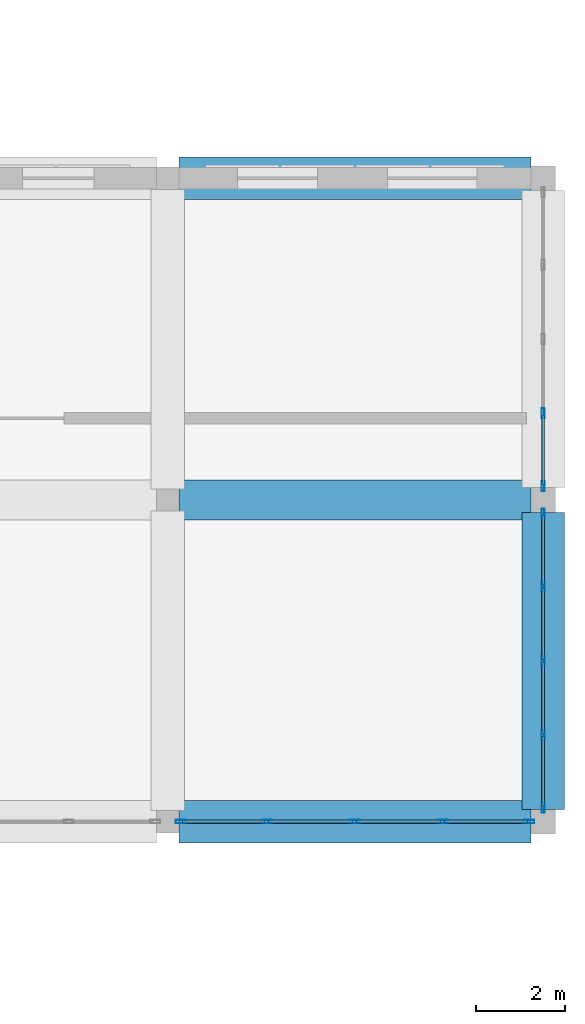
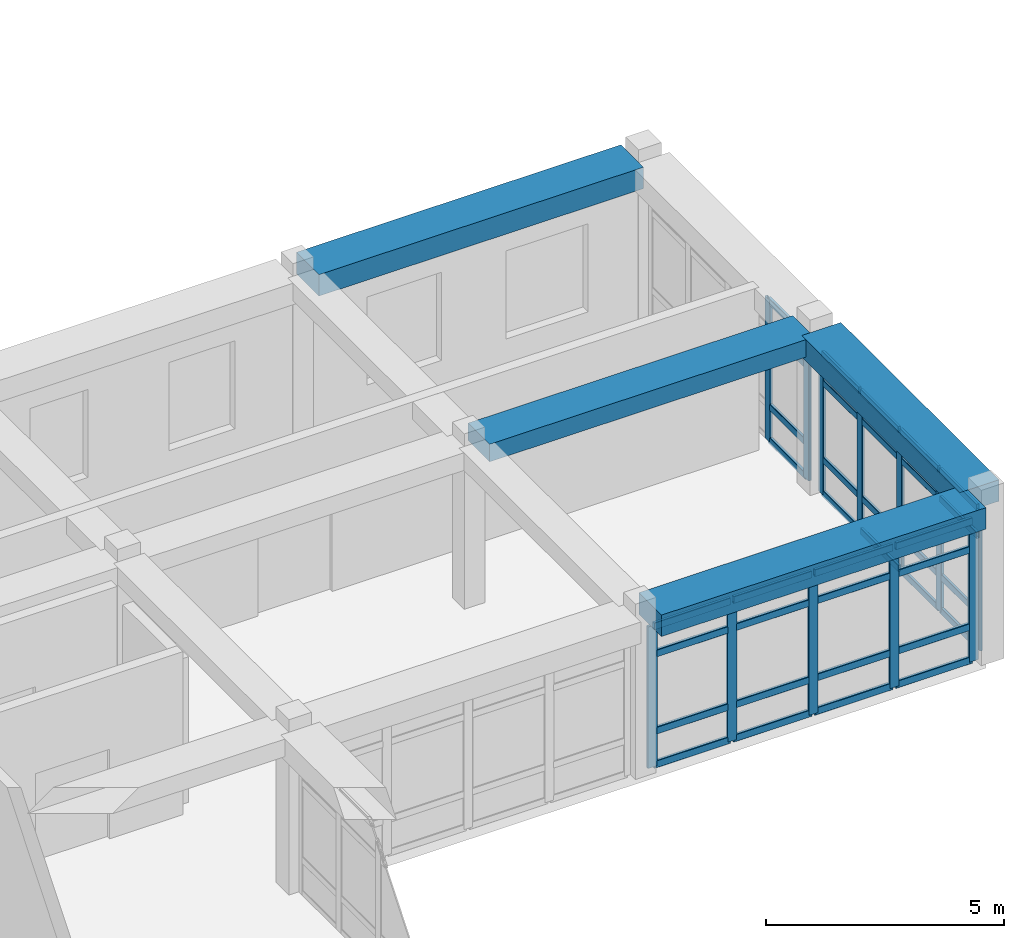
# One storey, part 60 of 121: 48 members, 4 beams, 3 elements without a shape of their own.
"""IFC4 building model written with IfcOpenShell, lengths in metres."""

import ifcopenshell
import ifcopenshell.guid

model = None  # the IFC model being written
_history = None  # IfcOwnerHistory: only IFC2X3 demands one
_inside = {}  # id of a spatial element -> (the spatial element, [elements in it])
_under = {}  # id of a project, library or spatial element -> (it, [spatial elements below it])
_declared = {}  # id of a project -> (the project, [libraries it declares])
_typed = {}  # id of a type object -> (the type object, [elements of that type])
_made_of = {}  # id of a material, layer set ... -> (it, [elements and type objects made of it])


def new_model(schema):
    """Start an empty IFC model of exactly this schema.

    Asked for "IFC4X3", IfcOpenShell would pick the latest addendum, in which some entities
    have other attributes; the version numbers below select the first issue.
    IFC2X3 requires an IfcOwnerHistory on every rooted entity: one is made here for all.
    """
    global model, _history
    if schema == "IFC4X3":
        model = ifcopenshell.file(schema_version=(4, 3, 0, 0))
    else:
        model = ifcopenshell.file(schema=schema)
    _inside.clear()
    _under.clear()
    _declared.clear()
    _typed.clear()
    _made_of.clear()
    _history = None
    if model.schema == "IFC2X3":
        org = make("IfcOrganization", Name="unknown")
        user = make(
            "IfcPersonAndOrganization",
            ThePerson=make("IfcPerson", FamilyName="unknown"),
            TheOrganization=org,
        )
        app = make(
            "IfcApplication",
            ApplicationDeveloper=org,
            Version="unknown",
            ApplicationFullName="unknown",
            ApplicationIdentifier="unknown",
        )
        _history = make(
            "IfcOwnerHistory",
            OwningUser=user,
            OwningApplication=app,
            ChangeAction="ADDED",
            CreationDate=0,
        )
    return model


def make(cls, **values):
    """One entity of the class cls with the attributes given. An attribute that is None is left unset."""
    return model.create_entity(
        cls, **{name: value for name, value in values.items() if value is not None}
    )


def rooted(cls, **values):
    """An entity with a GlobalId (a new one), such as an element, a storey or a relation."""
    return make(cls, GlobalId=ifcopenshell.guid.new(), OwnerHistory=_history, **values)


def si_unit(unit_type, name, prefix=None):
    """IfcSIUnit, for example si_unit("LENGTHUNIT", "METRE", prefix="MILLI")."""
    return make("IfcSIUnit", UnitType=unit_type, Prefix=prefix, Name=name)


def derived_unit(unit_type, elements):
    """IfcDerivedUnit: a product of units, each with its exponent."""
    return make(
        "IfcDerivedUnit",
        Elements=[
            make("IfcDerivedUnitElement", Unit=unit, Exponent=power)
            for unit, power in elements
        ],
        UnitType=unit_type,
    )


def assignment(units):
    """IfcUnitAssignment: the units of a project."""
    return None if units is None else make("IfcUnitAssignment", Units=units)


def point(xyz):
    """IfcCartesianPoint."""
    return None if xyz is None else make("IfcCartesianPoint", Coordinates=xyz)


def direction(xyz):
    """IfcDirection."""
    return None if xyz is None else make("IfcDirection", DirectionRatios=xyz)


def frame(location, z_axis=None, x_axis=None):
    """IfcAxis2Placement3D, a coordinate frame: its origin and axes. An axis left out is left unset."""
    return make(
        "IfcAxis2Placement3D",
        Location=point(location),
        Axis=direction(z_axis),
        RefDirection=direction(x_axis),
    )


def frame_2d(location, x_axis=None):
    """IfcAxis2Placement2D, a coordinate frame in the plane: its origin and x axis."""
    return make(
        "IfcAxis2Placement2D", Location=point(location), RefDirection=direction(x_axis)
    )


def origin():
    """The frame at (0, 0, 0) with its axes left unset."""
    return frame((0.0, 0.0, 0.0))


def origin_2d():
    """The frame at (0, 0) in the plane with its x axis left unset."""
    return frame_2d((0.0, 0.0))


def place(relative_to, where):
    """IfcLocalPlacement: puts the frame where relative to a parent placement (None: the world)."""
    return make(
        "IfcLocalPlacement", PlacementRelTo=relative_to, RelativePlacement=where
    )


def context(
    kind, dimensions, precision=None, world=None, true_north=None, identifier=None
):
    """IfcGeometricRepresentationContext, for example the 3D "Model" context."""
    return make(
        "IfcGeometricRepresentationContext",
        ContextIdentifier=identifier,
        ContextType=kind,
        CoordinateSpaceDimension=dimensions,
        Precision=precision,
        WorldCoordinateSystem=world,
        TrueNorth=true_north,
    )


def subcontext(parent, identifier, kind, view, scale=None):
    """IfcGeometricRepresentationSubContext, for example "Body" below "Model"."""
    return make(
        "IfcGeometricRepresentationSubContext",
        ContextIdentifier=identifier,
        ContextType=kind,
        ParentContext=parent,
        TargetScale=scale,
        TargetView=view,
    )


def project(units=None, contexts=None):
    """IfcProject with its units and contexts."""
    return rooted(
        "IfcProject",
        Name="project",
        RepresentationContexts=contexts,
        UnitsInContext=assignment(units),
    )


def spatial(cls, under=None, at=None, **own):
    """A site, building, storey or space (cls), placed at a placement, below another one or the project."""
    s = rooted(cls, ObjectPlacement=at, **own)
    if under is not None:
        _under.setdefault(under.id(), (under, []))[1].append(s)
    return s


def profile(cls, at=None, kind="AREA", **sizes):
    """A parametric profile (cls). Its sizes go by their IFC names, for example OverallWidth=200.0."""
    return make(cls, ProfileType=kind, Position=at, **sizes)


def rectangle(**sizes):
    """IfcRectangleProfileDef."""
    return profile("IfcRectangleProfileDef", **sizes)


def hollow_rectangle(**sizes):
    """IfcRectangleHollowProfileDef."""
    return profile("IfcRectangleHollowProfileDef", **sizes)


def extrude(swept, where, along, depth):
    """IfcExtrudedAreaSolid: the profile swept, set in the frame where, extruded along a direction by depth."""
    return make(
        "IfcExtrudedAreaSolid",
        SweptArea=swept,
        Position=where,
        ExtrudedDirection=direction(along),
        Depth=depth,
    )


def shape(context_of_items, identifier, shape_type, items):
    """IfcShapeRepresentation: the items that make up one representation, for example the "Body"."""
    return make(
        "IfcShapeRepresentation",
        ContextOfItems=context_of_items,
        RepresentationIdentifier=identifier,
        RepresentationType=shape_type,
        Items=items,
    )


def material(Name=None, Category=None):
    """IfcMaterial."""
    return make("IfcMaterial", Name=Name, Category=Category)


def material_profile(
    of_material, cross_section, Name=None, Category=None, Priority=None
):
    """IfcMaterialProfile: a cross section and its material."""
    return make(
        "IfcMaterialProfile",
        Name=Name,
        Material=of_material,
        Profile=cross_section,
        Priority=Priority,
        Category=Category,
    )


def profile_set(profiles, Name=None, composite=None):
    """IfcMaterialProfileSet."""
    return make(
        "IfcMaterialProfileSet",
        Name=Name,
        MaterialProfiles=profiles,
        CompositeProfile=composite,
    )


def made_of(thing, what):
    """Note that an element or type object is made of a material, layer set ...; save() writes the relation."""
    if what is not None:
        _made_of.setdefault(what.id(), (what, []))[1].append(thing)
    return thing


def type_object(cls, material=None, **own):
    """A type object (cls), such as IfcWallType, which elements share."""
    return made_of(rooted(cls, **own), material)


def element(
    cls,
    number,
    at=None,
    inside=None,
    cuts=None,
    type_object=None,
    material=None,
    context=None,
    identifier="Body",
    shape_type=None,
    held_by="IfcProductDefinitionShape",
    body=None,
    shapes=None,
    **own,
):
    """One element of the class cls, such as IfcWall. Its Tag is "e" and its number.

    at: its placement. inside: the storey or other place that contains it. cuts: it is an
    opening in that element (IfcRelVoidsElement). A single representation is given by context,
    identifier, shape_type and body (its items); several are given by shapes. held_by: the class
    of the entity that holds the representations. save() writes the other relations.
    """
    e = rooted(cls, Tag="e%d" % number, ObjectPlacement=at, **own)
    if body is not None:
        shapes = [shape(context, identifier, shape_type, body)]
    if shapes is not None:
        e.Representation = make(held_by, Representations=shapes)
    if inside is not None:
        _inside.setdefault(inside.id(), (inside, []))[1].append(e)
    if cuts is not None:
        rooted(
            "IfcRelVoidsElement", RelatingBuildingElement=cuts, RelatedOpeningElement=e
        )
    if type_object is not None:
        _typed.setdefault(type_object.id(), (type_object, []))[1].append(e)
    return made_of(e, material)


def aggregate(whole, parts):
    """IfcRelAggregates: a whole, such as a stair, and the parts it consists of."""
    return rooted("IfcRelAggregates", RelatingObject=whole, RelatedObjects=parts)


def save(model, path):
    """Write the relations noted so far, then the file.

    IfcRelAggregates (storeys below a building ...), IfcRelContainedInSpatialStructure (elements
    in a storey), IfcRelDefinesByType, IfcRelAssociatesMaterial and IfcRelDeclares: one each for
    every whole, place, type object, material and project.
    """
    for whole, parts in _under.values():
        aggregate(whole, parts)
    for where, things in _inside.values():
        rooted(
            "IfcRelContainedInSpatialStructure",
            RelatedElements=things,
            RelatingStructure=where,
        )
    for kind, things in _typed.values():
        rooted("IfcRelDefinesByType", RelatedObjects=things, RelatingType=kind)
    for what, things in _made_of.values():
        rooted("IfcRelAssociatesMaterial", RelatedObjects=things, RelatingMaterial=what)
    for by, libraries in _declared.values():
        rooted("IfcRelDeclares", RelatingContext=by, RelatedDefinitions=libraries)
    model.write(path)


model = new_model("IFC4")

# Units and contexts
model_context = context("Model", 3, precision=1e-05, world=origin(), true_north=direction((0.0, 1.0)))
body_context = subcontext(model_context, "Body", "Model", "MODEL_VIEW")
ifc_project = project(units=[si_unit("LENGTHUNIT", "METRE"), si_unit("AREAUNIT", "SQUARE_METRE"), si_unit("VOLUMEUNIT", "CUBIC_METRE"), si_unit("PLANEANGLEUNIT", "RADIAN"), si_unit("MASSUNIT", "GRAM", prefix="KILO"), derived_unit("THERMALTRANSMITTANCEUNIT", [(si_unit("POWERUNIT", "WATT"), 1), (si_unit("LENGTHUNIT", "METRE"), -2), (si_unit("THERMODYNAMICTEMPERATUREUNIT", "KELVIN"), -1)])], contexts=[model_context])

# Site, building, storey
site_placement = place(None, origin())
site = spatial("IfcSite", under=ifc_project, at=site_placement, CompositionType="ELEMENT")
building_placement = place(site_placement, origin())
building = spatial("IfcBuilding", under=site, at=building_placement, Name="Veybourne Emporium", CompositionType="ELEMENT")
storey_placement = place(building_placement, frame((0.0, 0.0, 5.39990234375)))
storey = spatial("IfcBuildingStorey", under=building, at=storey_placement, Name="L01", CompositionType="ELEMENT", Elevation=5.39990234375)

# Curtain wall, members
ifc_material_1 = material(Name="Patinated Architectural Bronze", Category="bronze")
curtain_wall_type_1 = type_object("IfcCurtainWallType", Name="CWSystem_CWS-05", PredefinedType="NOTDEFINED", material=ifc_material_1)
curtain_wall_1_placement = place(storey_placement, origin())
curtain_wall_1 = element("IfcCurtainWall", 1, at=curtain_wall_1_placement, inside=storey, type_object=curtain_wall_type_1, Name="L01 bronze glazed curtain wall CWS-05 (079)", PredefinedType="NOTDEFINED")
ifc_material_profile_1 = material_profile(ifc_material_1, hollow_rectangle(XDim=0.072021484375, YDim=0.22509765625, WallThickness=0.0048828125, InnerFilletRadius=0.007568359375, OuterFilletRadius=0.012451171875, at=origin_2d()), Name="CWM 72x225x5")
ifc_profile_set_1 = profile_set([ifc_material_profile_1], Name="Patinated Architectural Bronze")
member_type_1 = type_object("IfcMemberType", Name="CWMullion_CW-M1", PredefinedType="MULLION", material=ifc_profile_set_1)
member_1_placement = place(storey_placement, frame((168.0, 16.33740234375, 0.0), z_axis=(0.0, 0.0, 1.0), x_axis=(1.0, 0.0, 0.0)))
member_1 = element("IfcMember", 2, at=member_1_placement, type_object=member_type_1, Name="CWS-05 mullion 4", PredefinedType="MULLION", context=body_context, shape_type="SweptSolid", body=[
    extrude(hollow_rectangle(XDim=0.072021484375, YDim=0.22509765625, WallThickness=0.0048828125, InnerFilletRadius=0.007568359375, OuterFilletRadius=0.012451171875, at=origin_2d()), origin(), (0.0, 0.0, 1.0), 3.630126953125),
])
member_2_placement = place(storey_placement, frame((168.0, 14.7109375, 0.0), z_axis=(0.0, 0.0, 1.0), x_axis=(1.0, 0.0, 0.0)))
member_2 = element("IfcMember", 3, at=member_2_placement, type_object=member_type_1, Name="CWS-05 mullion 5", PredefinedType="MULLION", context=body_context, shape_type="SweptSolid", body=[
    extrude(hollow_rectangle(XDim=0.072021484375, YDim=0.22509765625, WallThickness=0.0048828125, InnerFilletRadius=0.007568359375, OuterFilletRadius=0.012451171875, at=origin_2d()), origin(), (0.0, 0.0, 1.0), 3.630126953125),
])

curtain_wall_type_2 = type_object("IfcCurtainWallType", Name="CWSystem_CWS-03", PredefinedType="NOTDEFINED", material=ifc_material_1)
curtain_wall_2_placement = place(storey_placement, origin())
curtain_wall_2 = element("IfcCurtainWall", 4, at=curtain_wall_2_placement, inside=storey, type_object=curtain_wall_type_2, Name="L01 bronze glazed curtain wall CWS-03 (077)", PredefinedType="NOTDEFINED")
ifc_material_profile_2 = material_profile(ifc_material_1, hollow_rectangle(XDim=0.077880859375, YDim=0.235107421875, WallThickness=0.0048828125, InnerFilletRadius=0.007568359375, OuterFilletRadius=0.012451171875, at=origin_2d()), Name="CWM 78x235x5")
ifc_profile_set_2 = profile_set([ifc_material_profile_2], Name="Patinated Architectural Bronze")
member_type_2 = type_object("IfcMemberType", Name="CWMullion_CW-M3", PredefinedType="MULLION", material=ifc_profile_set_2)
member_3_placement = place(storey_placement, frame((167.68603515625, 7.199951171875, 0.0), z_axis=(0.0, 0.0, 1.0), x_axis=(0.0, -1.0, 0.0)))
member_3 = element("IfcMember", 5, at=member_3_placement, type_object=member_type_2, Name="CWS-03 mullion 1", PredefinedType="MULLION", context=body_context, shape_type="SweptSolid", body=[
    extrude(hollow_rectangle(XDim=0.077880859375, YDim=0.235107421875, WallThickness=0.0048828125, InnerFilletRadius=0.007568359375, OuterFilletRadius=0.012451171875, at=origin_2d()), origin(), (0.0, 0.0, 1.0), 3.630126953125),
])
member_4_placement = place(storey_placement, frame((165.75634765625, 7.199951171875, 0.0), z_axis=(0.0, 0.0, 1.0), x_axis=(0.0, -1.0, 0.0)))
member_4 = element("IfcMember", 6, at=member_4_placement, type_object=member_type_2, Name="CWS-03 mullion 2", PredefinedType="MULLION", context=body_context, shape_type="SweptSolid", body=[
    extrude(hollow_rectangle(XDim=0.077880859375, YDim=0.235107421875, WallThickness=0.0048828125, InnerFilletRadius=0.007568359375, OuterFilletRadius=0.012451171875, at=origin_2d()), origin(), (0.0, 0.0, 1.0), 3.630126953125),
])
member_5_placement = place(storey_placement, frame((163.78759765625, 7.199951171875, 0.0), z_axis=(0.0, 0.0, 1.0), x_axis=(0.0, -1.0, 0.0)))
member_5 = element("IfcMember", 7, at=member_5_placement, type_object=member_type_2, Name="CWS-03 mullion 3", PredefinedType="MULLION", context=body_context, shape_type="SweptSolid", body=[
    extrude(hollow_rectangle(XDim=0.077880859375, YDim=0.235107421875, WallThickness=0.0048828125, InnerFilletRadius=0.007568359375, OuterFilletRadius=0.012451171875, at=origin_2d()), origin(), (0.0, 0.0, 1.0), 3.630126953125),
])
member_6_placement = place(storey_placement, frame((161.81884765625, 7.199951171875, 0.0), z_axis=(0.0, 0.0, 1.0), x_axis=(0.0, -1.0, 0.0)))
member_6 = element("IfcMember", 8, at=member_6_placement, type_object=member_type_2, Name="CWS-03 mullion 4", PredefinedType="MULLION", context=body_context, shape_type="SweptSolid", body=[
    extrude(hollow_rectangle(XDim=0.077880859375, YDim=0.235107421875, WallThickness=0.0048828125, InnerFilletRadius=0.007568359375, OuterFilletRadius=0.012451171875, at=origin_2d()), origin(), (0.0, 0.0, 1.0), 3.630126953125),
])
member_7_placement = place(storey_placement, frame((159.888916015625, 7.199951171875, 0.0), z_axis=(0.0, 0.0, 1.0), x_axis=(0.0, -1.0, 0.0)))
member_7 = element("IfcMember", 9, at=member_7_placement, type_object=member_type_2, Name="CWS-03 mullion 5", PredefinedType="MULLION", context=body_context, shape_type="SweptSolid", body=[
    extrude(hollow_rectangle(XDim=0.077880859375, YDim=0.235107421875, WallThickness=0.0048828125, InnerFilletRadius=0.007568359375, OuterFilletRadius=0.012451171875, at=origin_2d()), origin(), (0.0, 0.0, 1.0), 3.630126953125),
])

curtain_wall_type_3 = type_object("IfcCurtainWallType", Name="CWSystem_CWS-04", PredefinedType="NOTDEFINED", material=ifc_material_1)
curtain_wall_3_placement = place(storey_placement, origin())
curtain_wall_3 = element("IfcCurtainWall", 10, at=curtain_wall_3_placement, inside=storey, type_object=curtain_wall_type_3, Name="L01 bronze glazed curtain wall CWS-04 (078)", PredefinedType="NOTDEFINED")
ifc_material_profile_3 = material_profile(ifc_material_1, hollow_rectangle(XDim=0.070068359375, YDim=0.219970703125, WallThickness=0.0048828125, InnerFilletRadius=0.007568359375, OuterFilletRadius=0.012451171875, at=origin_2d()), Name="CWM 70x220x5")
ifc_profile_set_3 = profile_set([ifc_material_profile_3], Name="Patinated Architectural Bronze")
member_type_3 = type_object("IfcMemberType", Name="CWMullion_CW-M4", PredefinedType="MULLION", material=ifc_profile_set_3)
member_8_placement = place(storey_placement, frame((168.0, 14.090087890625, 0.0), z_axis=(0.0, 0.0, 1.0), x_axis=(1.0, 0.0, 0.0)))
member_8 = element("IfcMember", 11, at=member_8_placement, type_object=member_type_3, Name="CWS-04 mullion 1", PredefinedType="MULLION", context=body_context, shape_type="SweptSolid", body=[
    extrude(hollow_rectangle(XDim=0.070068359375, YDim=0.219970703125, WallThickness=0.0048828125, InnerFilletRadius=0.007568359375, OuterFilletRadius=0.012451171875, at=origin_2d()), origin(), (0.0, 0.0, 1.0), 3.630126953125),
])
member_9_placement = place(storey_placement, frame((168.0, 12.46240234375, 0.0), z_axis=(0.0, 0.0, 1.0), x_axis=(1.0, 0.0, 0.0)))
member_9 = element("IfcMember", 12, at=member_9_placement, type_object=member_type_3, Name="CWS-04 mullion 2", PredefinedType="MULLION", context=body_context, shape_type="SweptSolid", body=[
    extrude(hollow_rectangle(XDim=0.070068359375, YDim=0.219970703125, WallThickness=0.0048828125, InnerFilletRadius=0.007568359375, OuterFilletRadius=0.012451171875, at=origin_2d()), origin(), (0.0, 0.0, 1.0), 3.630126953125),
])
member_10_placement = place(storey_placement, frame((168.0, 10.800048828125, 0.0), z_axis=(0.0, 0.0, 1.0), x_axis=(1.0, 0.0, 0.0)))
member_10 = element("IfcMember", 13, at=member_10_placement, type_object=member_type_3, Name="CWS-04 mullion 3", PredefinedType="MULLION", context=body_context, shape_type="SweptSolid", body=[
    extrude(hollow_rectangle(XDim=0.070068359375, YDim=0.219970703125, WallThickness=0.0048828125, InnerFilletRadius=0.007568359375, OuterFilletRadius=0.012451171875, at=origin_2d()), origin(), (0.0, 0.0, 1.0), 3.630126953125),
])
member_11_placement = place(storey_placement, frame((168.0, 9.137451171875, 0.0), z_axis=(0.0, 0.0, 1.0), x_axis=(1.0, 0.0, 0.0)))
member_11 = element("IfcMember", 14, at=member_11_placement, type_object=member_type_3, Name="CWS-04 mullion 4", PredefinedType="MULLION", context=body_context, shape_type="SweptSolid", body=[
    extrude(hollow_rectangle(XDim=0.070068359375, YDim=0.219970703125, WallThickness=0.0048828125, InnerFilletRadius=0.007568359375, OuterFilletRadius=0.012451171875, at=origin_2d()), origin(), (0.0, 0.0, 1.0), 3.630126953125),
])
member_12_placement = place(storey_placement, frame((168.0, 7.510009765625, 0.0), z_axis=(0.0, 0.0, 1.0), x_axis=(1.0, 0.0, 0.0)))
member_12 = element("IfcMember", 15, at=member_12_placement, type_object=member_type_3, Name="CWS-04 mullion 5", PredefinedType="MULLION", context=body_context, shape_type="SweptSolid", body=[
    extrude(hollow_rectangle(XDim=0.070068359375, YDim=0.219970703125, WallThickness=0.0048828125, InnerFilletRadius=0.007568359375, OuterFilletRadius=0.012451171875, at=origin_2d()), origin(), (0.0, 0.0, 1.0), 3.630126953125),
])

# Member
ifc_material_profile_4 = material_profile(ifc_material_1, hollow_rectangle(XDim=0.072021484375, YDim=0.175048828125, WallThickness=0.0048828125, InnerFilletRadius=0.007568359375, OuterFilletRadius=0.012451171875, at=origin_2d()), Name="CWT 72x175x5")
ifc_profile_set_4 = profile_set([ifc_material_profile_4], Name="Patinated Architectural Bronze")
member_type_4 = type_object("IfcMemberType", Name="CWTransom_CW-T1", PredefinedType="NOTDEFINED", material=ifc_profile_set_4)
member_13_placement = place(storey_placement, frame((168.0, 16.301513671875, 0.0361328125), z_axis=(0.0, -1.0, 0.0), x_axis=(1.0, 0.0, 0.0)))
member_13 = element("IfcMember", 16, at=member_13_placement, type_object=member_type_4, Name="CWS-05 transom 4.1", ObjectType="TRANSOM", PredefinedType="USERDEFINED", context=body_context, shape_type="SweptSolid", body=[
    extrude(hollow_rectangle(XDim=0.072021484375, YDim=0.175048828125, WallThickness=0.0048828125, InnerFilletRadius=0.007568359375, OuterFilletRadius=0.012451171875, at=origin_2d()), origin(), (0.0, 0.0, 1.0), 1.554443359375),
])

member_14_placement = place(storey_placement, frame((168.0, 16.301513671875, 0.900146484375), z_axis=(0.0, -1.0, 0.0), x_axis=(1.0, 0.0, 0.0)))
member_14 = element("IfcMember", 17, at=member_14_placement, type_object=member_type_4, Name="CWS-05 transom 4.2", ObjectType="TRANSOM", PredefinedType="USERDEFINED", context=body_context, shape_type="SweptSolid", body=[
    extrude(hollow_rectangle(XDim=0.072021484375, YDim=0.175048828125, WallThickness=0.0048828125, InnerFilletRadius=0.007568359375, OuterFilletRadius=0.012451171875, at=origin_2d()), origin(), (0.0, 0.0, 1.0), 1.554443359375),
])

member_15_placement = place(storey_placement, frame((168.0, 16.301513671875, 2.880126953125), z_axis=(0.0, -1.0, 0.0), x_axis=(1.0, 0.0, 0.0)))
member_15 = element("IfcMember", 18, at=member_15_placement, type_object=member_type_4, Name="CWS-05 transom 4.3", ObjectType="TRANSOM", PredefinedType="USERDEFINED", context=body_context, shape_type="SweptSolid", body=[
    extrude(hollow_rectangle(XDim=0.072021484375, YDim=0.175048828125, WallThickness=0.0048828125, InnerFilletRadius=0.007568359375, OuterFilletRadius=0.012451171875, at=origin_2d()), origin(), (0.0, 0.0, 1.0), 1.554443359375),
])

member_16_placement = place(storey_placement, frame((168.0, 16.301513671875, 3.593994140625), z_axis=(0.0, -1.0, 0.0), x_axis=(1.0, 0.0, 0.0)))
member_16 = element("IfcMember", 19, at=member_16_placement, type_object=member_type_4, Name="CWS-05 transom 4.4", ObjectType="TRANSOM", PredefinedType="USERDEFINED", context=body_context, shape_type="SweptSolid", body=[
    extrude(hollow_rectangle(XDim=0.072021484375, YDim=0.175048828125, WallThickness=0.0048828125, InnerFilletRadius=0.007568359375, OuterFilletRadius=0.012451171875, at=origin_2d()), origin(), (0.0, 0.0, 1.0), 1.554443359375),
])

aggregate(curtain_wall_1, [member_1, member_2, member_13, member_14, member_15, member_16])

ifc_material_profile_5 = material_profile(ifc_material_1, hollow_rectangle(XDim=0.077880859375, YDim=0.18505859375, WallThickness=0.0048828125, InnerFilletRadius=0.007568359375, OuterFilletRadius=0.012451171875, at=origin_2d()), Name="CWT 78x185x5")
ifc_profile_set_5 = profile_set([ifc_material_profile_5], Name="Patinated Architectural Bronze")
member_type_5 = type_object("IfcMemberType", Name="CWTransom_CW-T3", PredefinedType="NOTDEFINED", material=ifc_profile_set_5)
member_17_placement = place(storey_placement, frame((167.64697265625, 7.199951171875, 0.0390625), z_axis=(-1.0, 0.0, 0.0), x_axis=(0.0, -1.0, 0.0)))
member_17 = element("IfcMember", 20, at=member_17_placement, type_object=member_type_5, Name="CWS-03 transom 1.1", ObjectType="TRANSOM", PredefinedType="USERDEFINED", context=body_context, shape_type="SweptSolid", body=[
    extrude(hollow_rectangle(XDim=0.077880859375, YDim=0.18505859375, WallThickness=0.0048828125, InnerFilletRadius=0.007568359375, OuterFilletRadius=0.012451171875, at=origin_2d()), origin(), (0.0, 0.0, 1.0), 1.851806640625),
])

member_18_placement = place(storey_placement, frame((167.64697265625, 7.199951171875, 0.900146484375), z_axis=(-1.0, 0.0, 0.0), x_axis=(0.0, -1.0, 0.0)))
member_18 = element("IfcMember", 21, at=member_18_placement, type_object=member_type_5, Name="CWS-03 transom 1.2", ObjectType="TRANSOM", PredefinedType="USERDEFINED", context=body_context, shape_type="SweptSolid", body=[
    extrude(hollow_rectangle(XDim=0.077880859375, YDim=0.18505859375, WallThickness=0.0048828125, InnerFilletRadius=0.007568359375, OuterFilletRadius=0.012451171875, at=origin_2d()), origin(), (0.0, 0.0, 1.0), 1.851806640625),
])

member_19_placement = place(storey_placement, frame((167.64697265625, 7.199951171875, 2.880126953125), z_axis=(-1.0, 0.0, 0.0), x_axis=(0.0, -1.0, 0.0)))
member_19 = element("IfcMember", 22, at=member_19_placement, type_object=member_type_5, Name="CWS-03 transom 1.3", ObjectType="TRANSOM", PredefinedType="USERDEFINED", context=body_context, shape_type="SweptSolid", body=[
    extrude(hollow_rectangle(XDim=0.077880859375, YDim=0.18505859375, WallThickness=0.0048828125, InnerFilletRadius=0.007568359375, OuterFilletRadius=0.012451171875, at=origin_2d()), origin(), (0.0, 0.0, 1.0), 1.851806640625),
])

member_20_placement = place(storey_placement, frame((167.64697265625, 7.199951171875, 3.591064453125), z_axis=(-1.0, 0.0, 0.0), x_axis=(0.0, -1.0, 0.0)))
member_20 = element("IfcMember", 23, at=member_20_placement, type_object=member_type_5, Name="CWS-03 transom 1.4", ObjectType="TRANSOM", PredefinedType="USERDEFINED", context=body_context, shape_type="SweptSolid", body=[
    extrude(hollow_rectangle(XDim=0.077880859375, YDim=0.18505859375, WallThickness=0.0048828125, InnerFilletRadius=0.007568359375, OuterFilletRadius=0.012451171875, at=origin_2d()), origin(), (0.0, 0.0, 1.0), 1.851806640625),
])

member_21_placement = place(storey_placement, frame((165.71728515625, 7.199951171875, 0.0390625), z_axis=(-1.0, 0.0, 0.0), x_axis=(0.0, -1.0, 0.0)))
member_21 = element("IfcMember", 24, at=member_21_placement, type_object=member_type_5, Name="CWS-03 transom 2.1", ObjectType="TRANSOM", PredefinedType="USERDEFINED", context=body_context, shape_type="SweptSolid", body=[
    extrude(hollow_rectangle(XDim=0.077880859375, YDim=0.18505859375, WallThickness=0.0048828125, InnerFilletRadius=0.007568359375, OuterFilletRadius=0.012451171875, at=origin_2d()), origin(), (0.0, 0.0, 1.0), 1.890869140625),
])

member_22_placement = place(storey_placement, frame((165.71728515625, 7.199951171875, 0.900146484375), z_axis=(-1.0, 0.0, 0.0), x_axis=(0.0, -1.0, 0.0)))
member_22 = element("IfcMember", 25, at=member_22_placement, type_object=member_type_5, Name="CWS-03 transom 2.2", ObjectType="TRANSOM", PredefinedType="USERDEFINED", context=body_context, shape_type="SweptSolid", body=[
    extrude(hollow_rectangle(XDim=0.077880859375, YDim=0.18505859375, WallThickness=0.0048828125, InnerFilletRadius=0.007568359375, OuterFilletRadius=0.012451171875, at=origin_2d()), origin(), (0.0, 0.0, 1.0), 1.890869140625),
])

member_23_placement = place(storey_placement, frame((165.71728515625, 7.199951171875, 2.880126953125), z_axis=(-1.0, 0.0, 0.0), x_axis=(0.0, -1.0, 0.0)))
member_23 = element("IfcMember", 26, at=member_23_placement, type_object=member_type_5, Name="CWS-03 transom 2.3", ObjectType="TRANSOM", PredefinedType="USERDEFINED", context=body_context, shape_type="SweptSolid", body=[
    extrude(hollow_rectangle(XDim=0.077880859375, YDim=0.18505859375, WallThickness=0.0048828125, InnerFilletRadius=0.007568359375, OuterFilletRadius=0.012451171875, at=origin_2d()), origin(), (0.0, 0.0, 1.0), 1.890869140625),
])

member_24_placement = place(storey_placement, frame((165.71728515625, 7.199951171875, 3.591064453125), z_axis=(-1.0, 0.0, 0.0), x_axis=(0.0, -1.0, 0.0)))
member_24 = element("IfcMember", 27, at=member_24_placement, type_object=member_type_5, Name="CWS-03 transom 2.4", ObjectType="TRANSOM", PredefinedType="USERDEFINED", context=body_context, shape_type="SweptSolid", body=[
    extrude(hollow_rectangle(XDim=0.077880859375, YDim=0.18505859375, WallThickness=0.0048828125, InnerFilletRadius=0.007568359375, OuterFilletRadius=0.012451171875, at=origin_2d()), origin(), (0.0, 0.0, 1.0), 1.890869140625),
])

member_25_placement = place(storey_placement, frame((163.74853515625, 7.199951171875, 0.0390625), z_axis=(-1.0, 0.0, 0.0), x_axis=(0.0, -1.0, 0.0)))
member_25 = element("IfcMember", 28, at=member_25_placement, type_object=member_type_5, Name="CWS-03 transom 3.1", ObjectType="TRANSOM", PredefinedType="USERDEFINED", context=body_context, shape_type="SweptSolid", body=[
    extrude(hollow_rectangle(XDim=0.077880859375, YDim=0.18505859375, WallThickness=0.0048828125, InnerFilletRadius=0.007568359375, OuterFilletRadius=0.012451171875, at=origin_2d()), origin(), (0.0, 0.0, 1.0), 1.890869140625),
])

member_26_placement = place(storey_placement, frame((163.74853515625, 7.199951171875, 0.900146484375), z_axis=(-1.0, 0.0, 0.0), x_axis=(0.0, -1.0, 0.0)))
member_26 = element("IfcMember", 29, at=member_26_placement, type_object=member_type_5, Name="CWS-03 transom 3.2", ObjectType="TRANSOM", PredefinedType="USERDEFINED", context=body_context, shape_type="SweptSolid", body=[
    extrude(hollow_rectangle(XDim=0.077880859375, YDim=0.18505859375, WallThickness=0.0048828125, InnerFilletRadius=0.007568359375, OuterFilletRadius=0.012451171875, at=origin_2d()), origin(), (0.0, 0.0, 1.0), 1.890869140625),
])

member_27_placement = place(storey_placement, frame((163.74853515625, 7.199951171875, 2.880126953125), z_axis=(-1.0, 0.0, 0.0), x_axis=(0.0, -1.0, 0.0)))
member_27 = element("IfcMember", 30, at=member_27_placement, type_object=member_type_5, Name="CWS-03 transom 3.3", ObjectType="TRANSOM", PredefinedType="USERDEFINED", context=body_context, shape_type="SweptSolid", body=[
    extrude(hollow_rectangle(XDim=0.077880859375, YDim=0.18505859375, WallThickness=0.0048828125, InnerFilletRadius=0.007568359375, OuterFilletRadius=0.012451171875, at=origin_2d()), origin(), (0.0, 0.0, 1.0), 1.890869140625),
])

member_28_placement = place(storey_placement, frame((163.74853515625, 7.199951171875, 3.591064453125), z_axis=(-1.0, 0.0, 0.0), x_axis=(0.0, -1.0, 0.0)))
member_28 = element("IfcMember", 31, at=member_28_placement, type_object=member_type_5, Name="CWS-03 transom 3.4", ObjectType="TRANSOM", PredefinedType="USERDEFINED", context=body_context, shape_type="SweptSolid", body=[
    extrude(hollow_rectangle(XDim=0.077880859375, YDim=0.18505859375, WallThickness=0.0048828125, InnerFilletRadius=0.007568359375, OuterFilletRadius=0.012451171875, at=origin_2d()), origin(), (0.0, 0.0, 1.0), 1.890869140625),
])

member_29_placement = place(storey_placement, frame((161.77978515625, 7.199951171875, 0.0390625), z_axis=(-1.0, 0.0, 0.0), x_axis=(0.0, -1.0, 0.0)))
member_29 = element("IfcMember", 32, at=member_29_placement, type_object=member_type_5, Name="CWS-03 transom 4.1", ObjectType="TRANSOM", PredefinedType="USERDEFINED", context=body_context, shape_type="SweptSolid", body=[
    extrude(hollow_rectangle(XDim=0.077880859375, YDim=0.18505859375, WallThickness=0.0048828125, InnerFilletRadius=0.007568359375, OuterFilletRadius=0.012451171875, at=origin_2d()), origin(), (0.0, 0.0, 1.0), 1.851806640625),
])

member_30_placement = place(storey_placement, frame((161.77978515625, 7.199951171875, 0.900146484375), z_axis=(-1.0, 0.0, 0.0), x_axis=(0.0, -1.0, 0.0)))
member_30 = element("IfcMember", 33, at=member_30_placement, type_object=member_type_5, Name="CWS-03 transom 4.2", ObjectType="TRANSOM", PredefinedType="USERDEFINED", context=body_context, shape_type="SweptSolid", body=[
    extrude(hollow_rectangle(XDim=0.077880859375, YDim=0.18505859375, WallThickness=0.0048828125, InnerFilletRadius=0.007568359375, OuterFilletRadius=0.012451171875, at=origin_2d()), origin(), (0.0, 0.0, 1.0), 1.851806640625),
])

member_31_placement = place(storey_placement, frame((161.77978515625, 7.199951171875, 2.880126953125), z_axis=(-1.0, 0.0, 0.0), x_axis=(0.0, -1.0, 0.0)))
member_31 = element("IfcMember", 34, at=member_31_placement, type_object=member_type_5, Name="CWS-03 transom 4.3", ObjectType="TRANSOM", PredefinedType="USERDEFINED", context=body_context, shape_type="SweptSolid", body=[
    extrude(hollow_rectangle(XDim=0.077880859375, YDim=0.18505859375, WallThickness=0.0048828125, InnerFilletRadius=0.007568359375, OuterFilletRadius=0.012451171875, at=origin_2d()), origin(), (0.0, 0.0, 1.0), 1.851806640625),
])

member_32_placement = place(storey_placement, frame((161.77978515625, 7.199951171875, 3.591064453125), z_axis=(-1.0, 0.0, 0.0), x_axis=(0.0, -1.0, 0.0)))
member_32 = element("IfcMember", 35, at=member_32_placement, type_object=member_type_5, Name="CWS-03 transom 4.4", ObjectType="TRANSOM", PredefinedType="USERDEFINED", context=body_context, shape_type="SweptSolid", body=[
    extrude(hollow_rectangle(XDim=0.077880859375, YDim=0.18505859375, WallThickness=0.0048828125, InnerFilletRadius=0.007568359375, OuterFilletRadius=0.012451171875, at=origin_2d()), origin(), (0.0, 0.0, 1.0), 1.851806640625),
])

aggregate(curtain_wall_2, [member_3, member_4, member_5, member_6, member_7, member_17, member_18, member_19, member_20, member_21, member_22, member_23, member_24, member_25, member_26, member_27, member_28, member_29, member_30, member_31, member_32])

ifc_material_profile_6 = material_profile(ifc_material_1, hollow_rectangle(XDim=0.070068359375, YDim=0.169921875, WallThickness=0.0048828125, InnerFilletRadius=0.007568359375, OuterFilletRadius=0.012451171875, at=origin_2d()), Name="CWT 70x170x5")
ifc_profile_set_6 = profile_set([ifc_material_profile_6], Name="Patinated Architectural Bronze")
member_type_6 = type_object("IfcMemberType", Name="CWTransom_CW-T4", PredefinedType="NOTDEFINED", material=ifc_profile_set_6)
member_33_placement = place(storey_placement, frame((168.0, 14.054931640625, 0.03515625), z_axis=(0.0, -1.0, 0.0), x_axis=(1.0, 0.0, 0.0)))
member_33 = element("IfcMember", 36, at=member_33_placement, type_object=member_type_6, Name="CWS-04 transom 1.1", ObjectType="TRANSOM", PredefinedType="USERDEFINED", context=body_context, shape_type="SweptSolid", body=[
    extrude(hollow_rectangle(XDim=0.070068359375, YDim=0.169921875, WallThickness=0.0048828125, InnerFilletRadius=0.007568359375, OuterFilletRadius=0.012451171875, at=origin_2d()), origin(), (0.0, 0.0, 1.0), 1.557373046875),
])

member_34_placement = place(storey_placement, frame((168.0, 14.054931640625, 0.900146484375), z_axis=(0.0, -1.0, 0.0), x_axis=(1.0, 0.0, 0.0)))
member_34 = element("IfcMember", 37, at=member_34_placement, type_object=member_type_6, Name="CWS-04 transom 1.2", ObjectType="TRANSOM", PredefinedType="USERDEFINED", context=body_context, shape_type="SweptSolid", body=[
    extrude(hollow_rectangle(XDim=0.070068359375, YDim=0.169921875, WallThickness=0.0048828125, InnerFilletRadius=0.007568359375, OuterFilletRadius=0.012451171875, at=origin_2d()), origin(), (0.0, 0.0, 1.0), 1.557373046875),
])

member_35_placement = place(storey_placement, frame((168.0, 14.054931640625, 2.880126953125), z_axis=(0.0, -1.0, 0.0), x_axis=(1.0, 0.0, 0.0)))
member_35 = element("IfcMember", 38, at=member_35_placement, type_object=member_type_6, Name="CWS-04 transom 1.3", ObjectType="TRANSOM", PredefinedType="USERDEFINED", context=body_context, shape_type="SweptSolid", body=[
    extrude(hollow_rectangle(XDim=0.070068359375, YDim=0.169921875, WallThickness=0.0048828125, InnerFilletRadius=0.007568359375, OuterFilletRadius=0.012451171875, at=origin_2d()), origin(), (0.0, 0.0, 1.0), 1.557373046875),
])

member_36_placement = place(storey_placement, frame((168.0, 14.054931640625, 3.59521484375), z_axis=(0.0, -1.0, 0.0), x_axis=(1.0, 0.0, 0.0)))
member_36 = element("IfcMember", 39, at=member_36_placement, type_object=member_type_6, Name="CWS-04 transom 1.4", ObjectType="TRANSOM", PredefinedType="USERDEFINED", context=body_context, shape_type="SweptSolid", body=[
    extrude(hollow_rectangle(XDim=0.070068359375, YDim=0.169921875, WallThickness=0.0048828125, InnerFilletRadius=0.007568359375, OuterFilletRadius=0.012451171875, at=origin_2d()), origin(), (0.0, 0.0, 1.0), 1.557373046875),
])

member_37_placement = place(storey_placement, frame((168.0, 12.427490234375, 0.03515625), z_axis=(0.0, -1.0, 0.0), x_axis=(1.0, 0.0, 0.0)))
member_37 = element("IfcMember", 40, at=member_37_placement, type_object=member_type_6, Name="CWS-04 transom 2.1", ObjectType="TRANSOM", PredefinedType="USERDEFINED", context=body_context, shape_type="SweptSolid", body=[
    extrude(hollow_rectangle(XDim=0.070068359375, YDim=0.169921875, WallThickness=0.0048828125, InnerFilletRadius=0.007568359375, OuterFilletRadius=0.012451171875, at=origin_2d()), origin(), (0.0, 0.0, 1.0), 1.592529296875),
])

member_38_placement = place(storey_placement, frame((168.0, 12.427490234375, 0.900146484375), z_axis=(0.0, -1.0, 0.0), x_axis=(1.0, 0.0, 0.0)))
member_38 = element("IfcMember", 41, at=member_38_placement, type_object=member_type_6, Name="CWS-04 transom 2.2", ObjectType="TRANSOM", PredefinedType="USERDEFINED", context=body_context, shape_type="SweptSolid", body=[
    extrude(hollow_rectangle(XDim=0.070068359375, YDim=0.169921875, WallThickness=0.0048828125, InnerFilletRadius=0.007568359375, OuterFilletRadius=0.012451171875, at=origin_2d()), origin(), (0.0, 0.0, 1.0), 1.592529296875),
])

member_39_placement = place(storey_placement, frame((168.0, 12.427490234375, 2.880126953125), z_axis=(0.0, -1.0, 0.0), x_axis=(1.0, 0.0, 0.0)))
member_39 = element("IfcMember", 42, at=member_39_placement, type_object=member_type_6, Name="CWS-04 transom 2.3", ObjectType="TRANSOM", PredefinedType="USERDEFINED", context=body_context, shape_type="SweptSolid", body=[
    extrude(hollow_rectangle(XDim=0.070068359375, YDim=0.169921875, WallThickness=0.0048828125, InnerFilletRadius=0.007568359375, OuterFilletRadius=0.012451171875, at=origin_2d()), origin(), (0.0, 0.0, 1.0), 1.592529296875),
])

member_40_placement = place(storey_placement, frame((168.0, 12.427490234375, 3.59521484375), z_axis=(0.0, -1.0, 0.0), x_axis=(1.0, 0.0, 0.0)))
member_40 = element("IfcMember", 43, at=member_40_placement, type_object=member_type_6, Name="CWS-04 transom 2.4", ObjectType="TRANSOM", PredefinedType="USERDEFINED", context=body_context, shape_type="SweptSolid", body=[
    extrude(hollow_rectangle(XDim=0.070068359375, YDim=0.169921875, WallThickness=0.0048828125, InnerFilletRadius=0.007568359375, OuterFilletRadius=0.012451171875, at=origin_2d()), origin(), (0.0, 0.0, 1.0), 1.592529296875),
])

member_41_placement = place(storey_placement, frame((168.0, 10.764892578125, 0.03515625), z_axis=(0.0, -1.0, 0.0), x_axis=(1.0, 0.0, 0.0)))
member_41 = element("IfcMember", 44, at=member_41_placement, type_object=member_type_6, Name="CWS-04 transom 3.1", ObjectType="TRANSOM", PredefinedType="USERDEFINED", context=body_context, shape_type="SweptSolid", body=[
    extrude(hollow_rectangle(XDim=0.070068359375, YDim=0.169921875, WallThickness=0.0048828125, InnerFilletRadius=0.007568359375, OuterFilletRadius=0.012451171875, at=origin_2d()), origin(), (0.0, 0.0, 1.0), 1.59228515625),
])

member_42_placement = place(storey_placement, frame((168.0, 10.764892578125, 0.900146484375), z_axis=(0.0, -1.0, 0.0), x_axis=(1.0, 0.0, 0.0)))
member_42 = element("IfcMember", 45, at=member_42_placement, type_object=member_type_6, Name="CWS-04 transom 3.2", ObjectType="TRANSOM", PredefinedType="USERDEFINED", context=body_context, shape_type="SweptSolid", body=[
    extrude(hollow_rectangle(XDim=0.070068359375, YDim=0.169921875, WallThickness=0.0048828125, InnerFilletRadius=0.007568359375, OuterFilletRadius=0.012451171875, at=origin_2d()), origin(), (0.0, 0.0, 1.0), 1.59228515625),
])

member_43_placement = place(storey_placement, frame((168.0, 10.764892578125, 2.880126953125), z_axis=(0.0, -1.0, 0.0), x_axis=(1.0, 0.0, 0.0)))
member_43 = element("IfcMember", 46, at=member_43_placement, type_object=member_type_6, Name="CWS-04 transom 3.3", ObjectType="TRANSOM", PredefinedType="USERDEFINED", context=body_context, shape_type="SweptSolid", body=[
    extrude(hollow_rectangle(XDim=0.070068359375, YDim=0.169921875, WallThickness=0.0048828125, InnerFilletRadius=0.007568359375, OuterFilletRadius=0.012451171875, at=origin_2d()), origin(), (0.0, 0.0, 1.0), 1.59228515625),
])

member_44_placement = place(storey_placement, frame((168.0, 10.764892578125, 3.59521484375), z_axis=(0.0, -1.0, 0.0), x_axis=(1.0, 0.0, 0.0)))
member_44 = element("IfcMember", 47, at=member_44_placement, type_object=member_type_6, Name="CWS-04 transom 3.4", ObjectType="TRANSOM", PredefinedType="USERDEFINED", context=body_context, shape_type="SweptSolid", body=[
    extrude(hollow_rectangle(XDim=0.070068359375, YDim=0.169921875, WallThickness=0.0048828125, InnerFilletRadius=0.007568359375, OuterFilletRadius=0.012451171875, at=origin_2d()), origin(), (0.0, 0.0, 1.0), 1.59228515625),
])

member_45_placement = place(storey_placement, frame((168.0, 9.1025390625, 0.03515625), z_axis=(0.0, -1.0, 0.0), x_axis=(1.0, 0.0, 0.0)))
member_45 = element("IfcMember", 48, at=member_45_placement, type_object=member_type_6, Name="CWS-04 transom 4.1", ObjectType="TRANSOM", PredefinedType="USERDEFINED", context=body_context, shape_type="SweptSolid", body=[
    extrude(hollow_rectangle(XDim=0.070068359375, YDim=0.169921875, WallThickness=0.0048828125, InnerFilletRadius=0.007568359375, OuterFilletRadius=0.012451171875, at=origin_2d()), origin(), (0.0, 0.0, 1.0), 1.5576171875),
])

member_46_placement = place(storey_placement, frame((168.0, 9.1025390625, 0.900146484375), z_axis=(0.0, -1.0, 0.0), x_axis=(1.0, 0.0, 0.0)))
member_46 = element("IfcMember", 49, at=member_46_placement, type_object=member_type_6, Name="CWS-04 transom 4.2", ObjectType="TRANSOM", PredefinedType="USERDEFINED", context=body_context, shape_type="SweptSolid", body=[
    extrude(hollow_rectangle(XDim=0.070068359375, YDim=0.169921875, WallThickness=0.0048828125, InnerFilletRadius=0.007568359375, OuterFilletRadius=0.012451171875, at=origin_2d()), origin(), (0.0, 0.0, 1.0), 1.5576171875),
])

member_47_placement = place(storey_placement, frame((168.0, 9.1025390625, 2.880126953125), z_axis=(0.0, -1.0, 0.0), x_axis=(1.0, 0.0, 0.0)))
member_47 = element("IfcMember", 50, at=member_47_placement, type_object=member_type_6, Name="CWS-04 transom 4.3", ObjectType="TRANSOM", PredefinedType="USERDEFINED", context=body_context, shape_type="SweptSolid", body=[
    extrude(hollow_rectangle(XDim=0.070068359375, YDim=0.169921875, WallThickness=0.0048828125, InnerFilletRadius=0.007568359375, OuterFilletRadius=0.012451171875, at=origin_2d()), origin(), (0.0, 0.0, 1.0), 1.5576171875),
])

member_48_placement = place(storey_placement, frame((168.0, 9.1025390625, 3.59521484375), z_axis=(0.0, -1.0, 0.0), x_axis=(1.0, 0.0, 0.0)))
member_48 = element("IfcMember", 51, at=member_48_placement, type_object=member_type_6, Name="CWS-04 transom 4.4", ObjectType="TRANSOM", PredefinedType="USERDEFINED", context=body_context, shape_type="SweptSolid", body=[
    extrude(hollow_rectangle(XDim=0.070068359375, YDim=0.169921875, WallThickness=0.0048828125, InnerFilletRadius=0.007568359375, OuterFilletRadius=0.012451171875, at=origin_2d()), origin(), (0.0, 0.0, 1.0), 1.5576171875),
])

aggregate(curtain_wall_3, [member_8, member_9, member_10, member_11, member_12, member_33, member_34, member_35, member_36, member_37, member_38, member_39, member_40, member_41, member_42, member_43, member_44, member_45, member_46, member_47, member_48])

# Beams
ifc_material_2 = material(Name="Concrete C32/40", Category="concrete")
ifc_material_profile_7 = material_profile(ifc_material_2, rectangle(XDim=0.89990234375, YDim=0.449951171875, at=origin_2d()), Name="RC 900x450")
ifc_profile_set_7 = profile_set([ifc_material_profile_7], Name="Concrete C32/40")
beam_type_1 = type_object("IfcBeamType", Name="RCBeam_BB-03", PredefinedType="BEAM", material=ifc_profile_set_7)
beam_1_placement = place(storey_placement, frame((159.85009765625, 14.39990234375, 3.955078125), z_axis=(1.0, 0.0, 0.0), x_axis=(0.0, 1.0, 0.0)))
element("IfcBeam", 52, at=beam_1_placement, inside=storey, type_object=beam_type_1, Name="L01 X-grid beam BB-03 (19,2)", PredefinedType="BEAM", context=body_context, shape_type="SweptSolid", body=[
    extrude(rectangle(XDim=0.89990234375, YDim=0.449951171875, at=origin_2d()), origin(), (0.0, 0.0, 1.0), 7.875),
])
ifc_material_profile_8 = material_profile(ifc_material_2, rectangle(XDim=0.949951171875, YDim=0.550048828125, at=origin_2d()), Name="RC 950x550")
ifc_profile_set_8 = profile_set([ifc_material_profile_8], Name="Concrete C32/40")
beam_type_2 = type_object("IfcBeamType", Name="RCBeam_EB-01", PredefinedType="SPANDREL", material=ifc_profile_set_8)
for number, where, z_axis, x_axis, name in (
    (53, (159.85009765625, 7.199951171875, 3.905029296875), (1.0, 0.0, 0.0), (0.0, 1.0, 0.0), "L01 X-grid beam EB-01 (19,1)"),
    (54, (159.85009765625, 21.60009765625, 3.905029296875), (1.0, 0.0, 0.0), (0.0, 1.0, 0.0), "L01 X-grid beam EB-01 (19,3)"),
):
    element("IfcBeam", number, at=place(storey_placement, frame(where, z_axis=z_axis, x_axis=x_axis)), inside=storey, type_object=beam_type_2, Name=name, PredefinedType="SPANDREL", context=body_context, shape_type="SweptSolid", body=[
        extrude(rectangle(XDim=0.949951171875, YDim=0.550048828125, at=origin_2d()), origin(), (0.0, 0.0, 1.0), 7.875),
    ])
beam_2_placement = place(storey_placement, frame((168.0, 7.47509765625, 3.905029296875), z_axis=(0.0, 1.0, 0.0), x_axis=(-1.0, 0.0, 0.0)))
element("IfcBeam", 55, at=beam_2_placement, inside=storey, type_object=beam_type_2, Name="L01 Y-grid beam EB-01 (20,1)", PredefinedType="SPANDREL", context=body_context, shape_type="SweptSolid", body=[
    extrude(rectangle(XDim=0.949951171875, YDim=0.550048828125, at=origin_2d()), origin(), (0.0, 0.0, 1.0), 6.64990234375),
])

save(model, "model.ifc")
